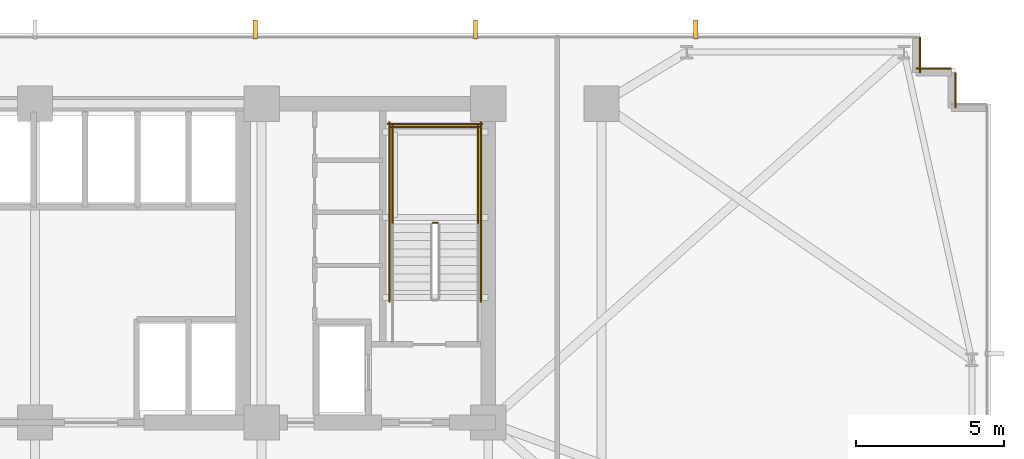
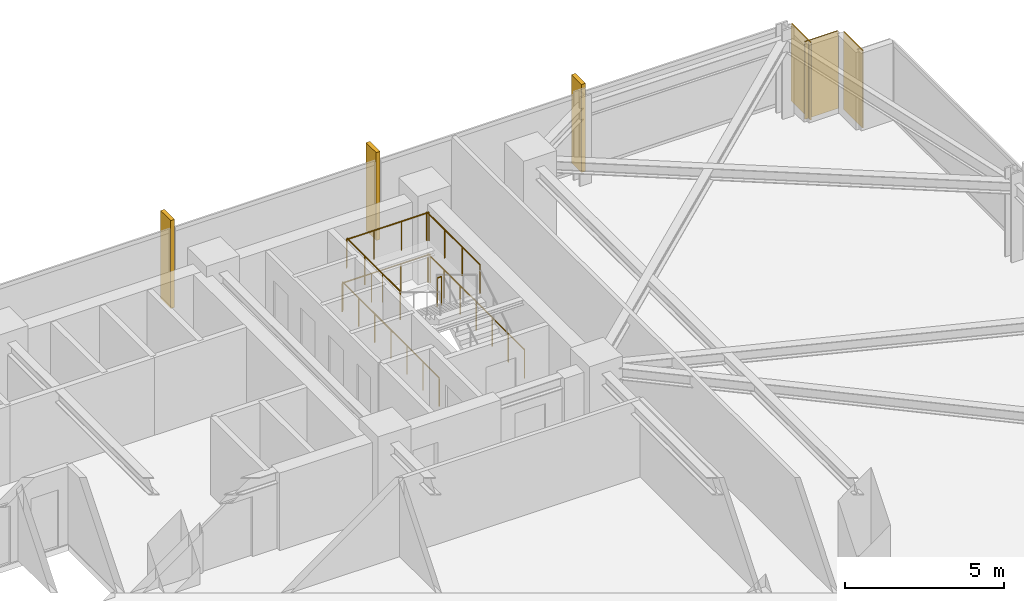
# One storey, part 31 of 32: 7 railings, 3 coverings, 3 shading devices.
"""IFC4 building model written with IfcOpenShell, lengths in metres."""

from ifc_helpers import new_model, si_unit, direction, frame, frame_2d, origin, origin_2d, place, context, subcontext, project, spatial, rectangle, circle, extrude, material, layer, layer_set, type_object, element, save


model = new_model("IFC4")

# Units and contexts
model_context = context("Model", 3, precision=1e-05, world=origin(), true_north=direction((0.0, 1.0)))
body_context = subcontext(model_context, "Body", "Model", "MODEL_VIEW")
ifc_project = project(units=[si_unit("LENGTHUNIT", "METRE"), si_unit("AREAUNIT", "SQUARE_METRE"), si_unit("VOLUMEUNIT", "CUBIC_METRE"), si_unit("PLANEANGLEUNIT", "RADIAN"), si_unit("MASSUNIT", "GRAM", prefix="KILO")], contexts=[model_context])

# Site, building, storey
site_placement = place(None, origin())
site = spatial("IfcSite", under=ifc_project, at=site_placement, CompositionType="ELEMENT")
building_placement = place(site_placement, origin())
building = spatial("IfcBuilding", under=site, at=building_placement, Name="Yelkora Congress Tower", CompositionType="ELEMENT")
storey_placement = place(building_placement, frame((0.0, 0.0, 74.60009765625)))
storey = spatial("IfcBuildingStorey", under=building, at=storey_placement, Name="L19", CompositionType="ELEMENT", Elevation=74.60009765625)

# Coverings
ifc_material_1 = material(Name="Anatolian bush-hammered limestone", Category="masonry")
ifc_layer_1 = layer(ifc_material_1, 0.0400390625)
ifc_layer_set_1 = layer_set([ifc_layer_1], Name="Anatolian bush-hammered limestone")
covering_type = type_object("IfcCoveringType", Name="COV-CLAD-SPANDREL-40", PredefinedType="CLADDING", material=ifc_layer_set_1)
for number, where, z_axis, x_axis, name in (
    (1, (68.39501953125, 48.4599609375, 0.0), (0.0, 0.0, 1.0), (0.0, -1.0, 0.0), "L19 Anatolian Limestone Cladding EW-L19-SR11"),
    (2, (68.260009765625, 47.39501953125, 0.0), (0.0, 0.0, 1.0), (1.0, 0.0, 0.0), "L19 Anatolian Limestone Cladding EW-L19-SR12"),
    (3, (69.594970703125, 47.260009765625, 0.0), (0.0, 0.0, 1.0), (0.0, -1.0, 0.0), "L19 Anatolian Limestone Cladding EW-L19-SR13"),
):
    element("IfcCovering", number, at=place(storey_placement, frame(where, z_axis=z_axis, x_axis=x_axis)), inside=storey, type_object=covering_type, Name=name, PredefinedType="CLADDING", context=body_context, shape_type="SweptSolid", body=[
        extrude(rectangle(XDim=1.199951171875, YDim=0.0400390625, at=frame_2d((0.60009765625, 0.0))), origin(), (0.0, 0.0, 1.0), 2.97998046875),
    ])

# Railings
ifc_material_2 = material(Name="Painted galvanised steel stair well guard with vertical infill", Category="steel")
ifc_layer_2 = layer(ifc_material_2, 0.06005859375)
ifc_layer_set_2 = layer_set([ifc_layer_2], Name="Painted galvanised steel stair well guard with vertical infill")
railing_type = type_object("IfcRailingType", Name="RAIL-STAIR-GUARD-1120", PredefinedType="GUARDRAIL", material=ifc_layer_set_2)
railing_1_placement = place(storey_placement, frame((52.0400390625, 42.169921875, 1.699951171875)))
element("IfcRailing", 4, at=railing_1_placement, inside=storey, type_object=railing_type, Name="ST-02 L19 Stair Well Guardrail 2", PredefinedType="GUARDRAIL", context=body_context, shape_type="SweptSolid", body=[
    extrude(circle(Radius=0.02392578125, at=origin_2d()), frame((0.0, 0.0, 1.09619140625), z_axis=(-1.0, 0.0, 0.0), x_axis=(0.0, -1.0, 0.0)), (0.0, 0.0, 1.0), 0.16015625),
    extrude(circle(Radius=0.02099609375, at=origin_2d()), origin(), (0.0, 0.0, 1.0), 1.072021484375),
    extrude(circle(Radius=0.02099609375, at=origin_2d()), frame((-0.16015625, 0.0, 0.0)), (0.0, 0.0, 1.0), 1.072021484375),
])
for number, where, name in (
    (5, (53.409912109375, 42.1201171875, 1.699951171875), "ST-02 L19 Stair Well Guardrail 3"),
    (6, (50.510009765625, 42.1201171875, 1.699951171875), "ST-02 L19 Stair Well Guardrail 4"),
):
    element("IfcRailing", number, at=place(storey_placement, frame(where)), inside=storey, type_object=railing_type, Name=name, PredefinedType="GUARDRAIL", context=body_context, shape_type="SweptSolid", body=[
        extrude(circle(Radius=0.02392578125, at=origin_2d()), frame((0.0, 0.0, 1.09619140625), z_axis=(0.0, 1.0, 0.0), x_axis=(-1.0, 0.0, 0.0)), (0.0, 0.0, 1.0), 3.349853515625),
        extrude(circle(Radius=0.02099609375, at=origin_2d()), origin(), (0.0, 0.0, 1.0), 1.072021484375),
        extrude(circle(Radius=0.02099609375, at=origin_2d()), frame((0.0, 1.11669921875, 0.0)), (0.0, 0.0, 1.0), 1.072021484375),
        extrude(circle(Radius=0.02099609375, at=origin_2d()), frame((0.0, 2.233154296875, 0.0)), (0.0, 0.0, 1.0), 1.072021484375),
        extrude(circle(Radius=0.02099609375, at=origin_2d()), frame((0.0, 3.349853515625, 0.0)), (0.0, 0.0, 1.0), 1.072021484375),
    ])
railing_2_placement = place(storey_placement, frame((53.4599609375, 45.419921875, 1.699951171875)))
element("IfcRailing", 7, at=railing_2_placement, inside=storey, type_object=railing_type, Name="ST-02 L19 Stair Well Guardrail 5", PredefinedType="GUARDRAIL", context=body_context, shape_type="SweptSolid", body=[
    extrude(circle(Radius=0.02392578125, at=origin_2d()), frame((0.0, 0.0, 1.09619140625), z_axis=(-1.0, 0.0, 0.0), x_axis=(0.0, -1.0, 0.0)), (0.0, 0.0, 1.0), 3.0),
    extrude(circle(Radius=0.02099609375, at=origin_2d()), origin(), (0.0, 0.0, 1.0), 1.072021484375),
    extrude(circle(Radius=0.02099609375, at=origin_2d()), frame((-1.0, 0.0, 0.0)), (0.0, 0.0, 1.0), 1.072021484375),
    extrude(circle(Radius=0.02099609375, at=origin_2d()), frame((-2.0, 0.0, 0.0)), (0.0, 0.0, 1.0), 1.072021484375),
    extrude(circle(Radius=0.02099609375, at=origin_2d()), frame((-3.0, 0.0, 0.0)), (0.0, 0.0, 1.0), 1.072021484375),
])
for number, where, name in (
    (8, (53.510009765625, 39.5, 0.0), "ST-02 L19 Stair Well Guardrail 10"),
    (9, (50.409912109375, 39.5, 0.0), "ST-02 L19 Stair Well Guardrail 11"),
):
    element("IfcRailing", number, at=place(storey_placement, frame(where)), inside=storey, type_object=railing_type, Name=name, PredefinedType="GUARDRAIL", context=body_context, shape_type="SweptSolid", body=[
        extrude(circle(Radius=0.02392578125, at=origin_2d()), frame((0.0, 0.0, 1.09619140625), z_axis=(0.0, 1.0, 0.0), x_axis=(-1.0, 0.0, 0.0)), (0.0, 0.0, 1.0), 6.070068359375),
        extrude(circle(Radius=0.02099609375, at=origin_2d()), origin(), (0.0, 0.0, 1.0), 1.072021484375),
        extrude(circle(Radius=0.02099609375, at=origin_2d()), frame((0.0, 1.01171875, 0.0)), (0.0, 0.0, 1.0), 1.072021484375),
        extrude(circle(Radius=0.02099609375, at=origin_2d()), frame((0.0, 2.0234375, 0.0)), (0.0, 0.0, 1.0), 1.072021484375),
        extrude(circle(Radius=0.02099609375, at=origin_2d()), frame((0.0, 3.03515625, 0.0)), (0.0, 0.0, 1.0), 1.072021484375),
        extrude(circle(Radius=0.02099609375, at=origin_2d()), frame((0.0, 4.046630859375, 0.0)), (0.0, 0.0, 1.0), 1.072021484375),
        extrude(circle(Radius=0.02099609375, at=origin_2d()), frame((0.0, 5.058349609375, 0.0)), (0.0, 0.0, 1.0), 1.072021484375),
        extrude(circle(Radius=0.02099609375, at=origin_2d()), frame((0.0, 6.070068359375, 0.0)), (0.0, 0.0, 1.0), 1.072021484375),
    ])
railing_3_placement = place(storey_placement, frame((53.56005859375, 45.52001953125, 0.0)))
element("IfcRailing", 10, at=railing_3_placement, inside=storey, type_object=railing_type, Name="ST-02 L19 Stair Well Guardrail 12", PredefinedType="GUARDRAIL", context=body_context, shape_type="SweptSolid", body=[
    extrude(circle(Radius=0.02392578125, at=origin_2d()), frame((0.0, 0.0, 1.09619140625), z_axis=(-1.0, 0.0, 0.0), x_axis=(0.0, -1.0, 0.0)), (0.0, 0.0, 1.0), 3.199951171875),
    extrude(circle(Radius=0.02099609375, at=origin_2d()), origin(), (0.0, 0.0, 1.0), 1.072021484375),
    extrude(circle(Radius=0.02099609375, at=origin_2d()), frame((-1.066650390625, 0.0, 0.0)), (0.0, 0.0, 1.0), 1.072021484375),
    extrude(circle(Radius=0.02099609375, at=origin_2d()), frame((-2.13330078125, 0.0, 0.0)), (0.0, 0.0, 1.0), 1.072021484375),
    extrude(circle(Radius=0.02099609375, at=origin_2d()), frame((-3.199951171875, 0.0, 0.0)), (0.0, 0.0, 1.0), 1.072021484375),
])

# Shading devices
ifc_material_3 = material(Name="Champagne anodised aluminium", Category="aluminium")
ifc_layer_3 = layer(ifc_material_3, 3.39990234375)
ifc_layer_set_3 = layer_set([ifc_layer_3], Name="Champagne anodised aluminium")
shading_device_type = type_object("IfcShadingDeviceType", Name="SHD-FIN-ALU-640", PredefinedType="USERDEFINED", material=ifc_layer_set_3)
for number, where, z_axis, x_axis, name in (
    (11, (45.864990234375, 48.719970703125, -0.030029296875), (0.0, 0.0, 1.0), (1.0, 0.0, 0.0), "L19 Vertical Anodised Solar Fin 10-5"),
    (12, (53.330078125, 48.719970703125, -0.030029296875), (0.0, 0.0, 1.0), (1.0, 0.0, 0.0), "L19 Vertical Anodised Solar Fin 10-6"),
    (13, (60.794921875, 48.719970703125, -0.030029296875), (0.0, 0.0, 1.0), (1.0, 0.0, 0.0), "L19 Vertical Anodised Solar Fin 10-7"),
):
    element("IfcShadingDevice", number, at=place(storey_placement, frame(where, z_axis=z_axis, x_axis=x_axis)), inside=storey, type_object=shading_device_type, Name=name, ObjectType="FIN", PredefinedType="USERDEFINED", context=body_context, shape_type="SweptSolid", body=[
        extrude(rectangle(XDim=0.139892578125, YDim=0.639892578125, at=origin_2d()), origin(), (0.0, 0.0, 1.0), 3.3798828125),
    ])

save(model, "model.ifc")
